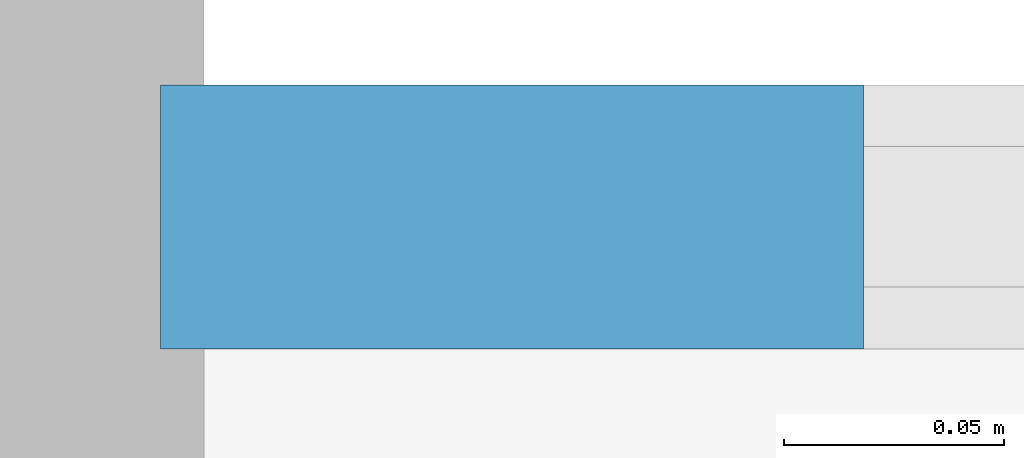
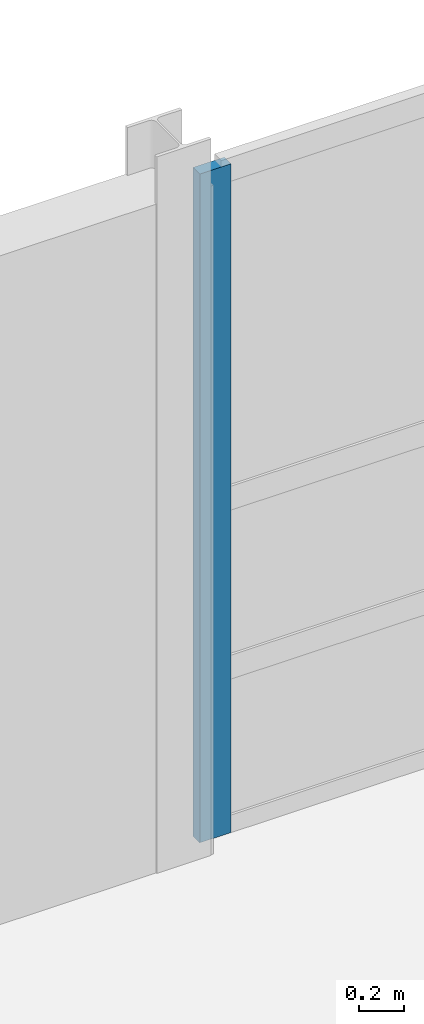
# One storey, part 15 of 35: 1 member, 1 element without a shape of its own.
"""IFC4 building model written with IfcOpenShell, lengths in metres."""

from ifc_helpers import new_model, si_unit, direction, frame, origin, origin_2d, place, context, subcontext, project, spatial, rectangle, extrude, material, material_profile, profile_set, type_object, element, aggregate, save


model = new_model("IFC4")

# Units and contexts
model_context = context("Model", 3, precision=1e-05, world=origin(), true_north=direction((0.0, 1.0)))
body_context = subcontext(model_context, "Body", "Model", "MODEL_VIEW")
ifc_project = project(units=[si_unit("LENGTHUNIT", "METRE"), si_unit("AREAUNIT", "SQUARE_METRE"), si_unit("VOLUMEUNIT", "CUBIC_METRE"), si_unit("PLANEANGLEUNIT", "RADIAN"), si_unit("MASSUNIT", "GRAM", prefix="KILO")], contexts=[model_context])

# Site, building, storey
site_placement = place(None, origin())
site = spatial("IfcSite", under=ifc_project, at=site_placement, CompositionType="ELEMENT")
building_placement = place(site_placement, origin())
building = spatial("IfcBuilding", under=site, at=building_placement, Name="Tizgana Railside Sports Hall", CompositionType="ELEMENT")
storey_placement = place(building_placement, frame((0.0, 0.0, 15.89990234375)))
storey = spatial("IfcBuildingStorey", under=building, at=storey_placement, Name="L03", CompositionType="ELEMENT", Elevation=15.89990234375)

# Curtain wall, member
ifc_material_1 = material(Name="Anodised aluminium and glass", Category="aluminium")
curtain_wall_type = type_object("IfcCurtainWallType", Name="Unitised Curtain Wall EastHall 1500", PredefinedType="NOTDEFINED", material=ifc_material_1)
curtain_wall_placement = place(storey_placement, origin())
curtain_wall = element("IfcCurtainWall", 1, at=curtain_wall_placement, inside=storey, type_object=curtain_wall_type, Name="L03 Curtain Wall CW-0127", PredefinedType="NOTDEFINED")
ifc_material_2 = material(Name="Anodised aluminium", Category="aluminium")
ifc_material_profile = material_profile(ifc_material_2, rectangle(XDim=0.06005859375, YDim=0.159912109375, at=origin_2d()), Name="Mullion 60x160")
ifc_profile_set = profile_set([ifc_material_profile], Name="Anodised aluminium")
member_type = type_object("IfcMemberType", Name="Mullion 60x160", PredefinedType="MULLION", material=ifc_profile_set)
member_placement = place(storey_placement, frame((71.625, 32.39990234375, 0.0), z_axis=(0.0, 0.0, 1.0), x_axis=(0.0, 1.0, 0.0)))
member = element("IfcMember", 2, at=member_placement, type_object=member_type, Name="CW-08 mullion 1", PredefinedType="MULLION", context=body_context, shape_type="SweptSolid", body=[
    extrude(rectangle(XDim=0.06005859375, YDim=0.159912109375, at=origin_2d()), origin(), (0.0, 0.0, 1.0), 3.64013671875),
])
aggregate(curtain_wall, [member])

save(model, "model.ifc")
